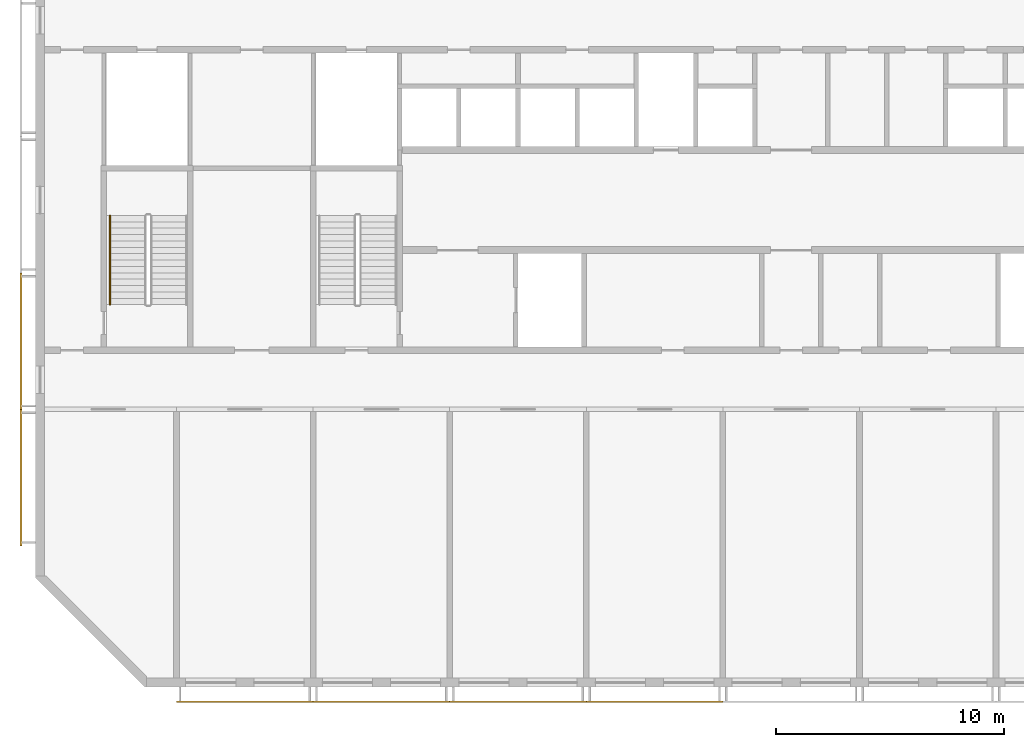
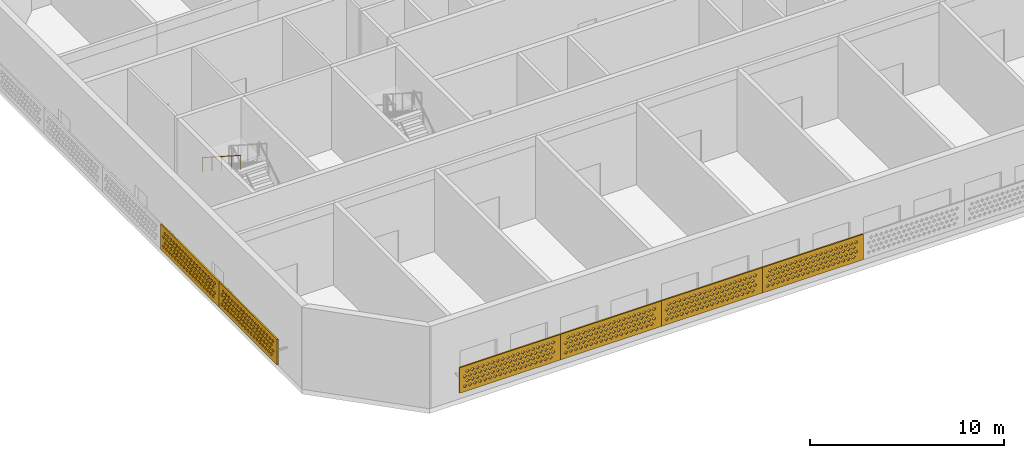
# One storey, part 10 of 18: 6 coverings, 1 railing.
"""IFC4 building model written with IfcOpenShell, lengths in metres."""

import ifcopenshell
import ifcopenshell.guid

model = None  # the IFC model being written
_history = None  # IfcOwnerHistory: only IFC2X3 demands one
_inside = {}  # id of a spatial element -> (the spatial element, [elements in it])
_under = {}  # id of a project, library or spatial element -> (it, [spatial elements below it])
_declared = {}  # id of a project -> (the project, [libraries it declares])
_typed = {}  # id of a type object -> (the type object, [elements of that type])
_made_of = {}  # id of a material, layer set ... -> (it, [elements and type objects made of it])


def new_model(schema):
    """Start an empty IFC model of exactly this schema.

    Asked for "IFC4X3", IfcOpenShell would pick the latest addendum, in which some entities
    have other attributes; the version numbers below select the first issue.
    IFC2X3 requires an IfcOwnerHistory on every rooted entity: one is made here for all.
    """
    global model, _history
    if schema == "IFC4X3":
        model = ifcopenshell.file(schema_version=(4, 3, 0, 0))
    else:
        model = ifcopenshell.file(schema=schema)
    _inside.clear()
    _under.clear()
    _declared.clear()
    _typed.clear()
    _made_of.clear()
    _history = None
    if model.schema == "IFC2X3":
        org = make("IfcOrganization", Name="unknown")
        user = make(
            "IfcPersonAndOrganization",
            ThePerson=make("IfcPerson", FamilyName="unknown"),
            TheOrganization=org,
        )
        app = make(
            "IfcApplication",
            ApplicationDeveloper=org,
            Version="unknown",
            ApplicationFullName="unknown",
            ApplicationIdentifier="unknown",
        )
        _history = make(
            "IfcOwnerHistory",
            OwningUser=user,
            OwningApplication=app,
            ChangeAction="ADDED",
            CreationDate=0,
        )
    return model


def make(cls, **values):
    """One entity of the class cls with the attributes given. An attribute that is None is left unset."""
    return model.create_entity(
        cls, **{name: value for name, value in values.items() if value is not None}
    )


def rooted(cls, **values):
    """An entity with a GlobalId (a new one), such as an element, a storey or a relation."""
    return make(cls, GlobalId=ifcopenshell.guid.new(), OwnerHistory=_history, **values)


def si_unit(unit_type, name, prefix=None):
    """IfcSIUnit, for example si_unit("LENGTHUNIT", "METRE", prefix="MILLI")."""
    return make("IfcSIUnit", UnitType=unit_type, Prefix=prefix, Name=name)


def assignment(units):
    """IfcUnitAssignment: the units of a project."""
    return None if units is None else make("IfcUnitAssignment", Units=units)


def point(xyz):
    """IfcCartesianPoint."""
    return None if xyz is None else make("IfcCartesianPoint", Coordinates=xyz)


def direction(xyz):
    """IfcDirection."""
    return None if xyz is None else make("IfcDirection", DirectionRatios=xyz)


def frame(location, z_axis=None, x_axis=None):
    """IfcAxis2Placement3D, a coordinate frame: its origin and axes. An axis left out is left unset."""
    return make(
        "IfcAxis2Placement3D",
        Location=point(location),
        Axis=direction(z_axis),
        RefDirection=direction(x_axis),
    )


def frame_2d(location, x_axis=None):
    """IfcAxis2Placement2D, a coordinate frame in the plane: its origin and x axis."""
    return make(
        "IfcAxis2Placement2D", Location=point(location), RefDirection=direction(x_axis)
    )


def origin():
    """The frame at (0, 0, 0) with its axes left unset."""
    return frame((0.0, 0.0, 0.0))


def origin_2d():
    """The frame at (0, 0) in the plane with its x axis left unset."""
    return frame_2d((0.0, 0.0))


def place(relative_to, where):
    """IfcLocalPlacement: puts the frame where relative to a parent placement (None: the world)."""
    return make(
        "IfcLocalPlacement", PlacementRelTo=relative_to, RelativePlacement=where
    )


def context(
    kind, dimensions, precision=None, world=None, true_north=None, identifier=None
):
    """IfcGeometricRepresentationContext, for example the 3D "Model" context."""
    return make(
        "IfcGeometricRepresentationContext",
        ContextIdentifier=identifier,
        ContextType=kind,
        CoordinateSpaceDimension=dimensions,
        Precision=precision,
        WorldCoordinateSystem=world,
        TrueNorth=true_north,
    )


def subcontext(parent, identifier, kind, view, scale=None):
    """IfcGeometricRepresentationSubContext, for example "Body" below "Model"."""
    return make(
        "IfcGeometricRepresentationSubContext",
        ContextIdentifier=identifier,
        ContextType=kind,
        ParentContext=parent,
        TargetScale=scale,
        TargetView=view,
    )


def project(units=None, contexts=None):
    """IfcProject with its units and contexts."""
    return rooted(
        "IfcProject",
        Name="project",
        RepresentationContexts=contexts,
        UnitsInContext=assignment(units),
    )


def spatial(cls, under=None, at=None, **own):
    """A site, building, storey or space (cls), placed at a placement, below another one or the project."""
    s = rooted(cls, ObjectPlacement=at, **own)
    if under is not None:
        _under.setdefault(under.id(), (under, []))[1].append(s)
    return s


def polyline(points):
    """IfcPolyline through the points."""
    return make("IfcPolyline", Points=[point(p) for p in points])


def profile(cls, at=None, kind="AREA", **sizes):
    """A parametric profile (cls). Its sizes go by their IFC names, for example OverallWidth=200.0."""
    return make(cls, ProfileType=kind, Position=at, **sizes)


def circle(**sizes):
    """IfcCircleProfileDef."""
    return profile("IfcCircleProfileDef", **sizes)


def outline(outer, holes=None, kind="AREA"):
    """IfcArbitraryClosedProfileDef: a profile drawn as a closed curve; with holes, ...WithVoids."""
    if holes is None:
        return make("IfcArbitraryClosedProfileDef", ProfileType=kind, OuterCurve=outer)
    return make(
        "IfcArbitraryProfileDefWithVoids",
        ProfileType=kind,
        OuterCurve=outer,
        InnerCurves=holes,
    )


def extrude(swept, where, along, depth):
    """IfcExtrudedAreaSolid: the profile swept, set in the frame where, extruded along a direction by depth."""
    return make(
        "IfcExtrudedAreaSolid",
        SweptArea=swept,
        Position=where,
        ExtrudedDirection=direction(along),
        Depth=depth,
    )


def shape(context_of_items, identifier, shape_type, items):
    """IfcShapeRepresentation: the items that make up one representation, for example the "Body"."""
    return make(
        "IfcShapeRepresentation",
        ContextOfItems=context_of_items,
        RepresentationIdentifier=identifier,
        RepresentationType=shape_type,
        Items=items,
    )


def source(mapping_origin, context_of_items, identifier, shape_type, items):
    """IfcRepresentationMap: a shape defined once, which mapped items show again and again."""
    return make(
        "IfcRepresentationMap",
        MappingOrigin=mapping_origin,
        MappedRepresentation=shape(context_of_items, identifier, shape_type, items),
    )


def transform(
    local_origin,
    x_axis=None,
    y_axis=None,
    z_axis=None,
    scale=None,
    scale2=None,
    scale3=None,
    uniform=True,
):
    """IfcCartesianTransformationOperator3D, or its non-uniform kind. x_axis, y_axis, z_axis: its Axis1, 2, 3."""
    if uniform:
        return make(
            "IfcCartesianTransformationOperator3D",
            Axis1=direction(x_axis),
            Axis2=direction(y_axis),
            LocalOrigin=point(local_origin),
            Scale=scale,
            Axis3=direction(z_axis),
        )
    return make(
        "IfcCartesianTransformationOperator3DnonUniform",
        Axis1=direction(x_axis),
        Axis2=direction(y_axis),
        LocalOrigin=point(local_origin),
        Scale=scale,
        Axis3=direction(z_axis),
        Scale2=scale2,
        Scale3=scale3,
    )


def mapped(mapping_source, mapping_target):
    """IfcMappedItem: shows the shape of a source again, moved by a transform."""
    return make(
        "IfcMappedItem", MappingSource=mapping_source, MappingTarget=mapping_target
    )


def material(Name=None, Category=None):
    """IfcMaterial."""
    return make("IfcMaterial", Name=Name, Category=Category)


def material_profile(
    of_material, cross_section, Name=None, Category=None, Priority=None
):
    """IfcMaterialProfile: a cross section and its material."""
    return make(
        "IfcMaterialProfile",
        Name=Name,
        Material=of_material,
        Profile=cross_section,
        Priority=Priority,
        Category=Category,
    )


def profile_set(profiles, Name=None, composite=None):
    """IfcMaterialProfileSet."""
    return make(
        "IfcMaterialProfileSet",
        Name=Name,
        MaterialProfiles=profiles,
        CompositeProfile=composite,
    )


def made_of(thing, what):
    """Note that an element or type object is made of a material, layer set ...; save() writes the relation."""
    if what is not None:
        _made_of.setdefault(what.id(), (what, []))[1].append(thing)
    return thing


def type_object(cls, material=None, **own):
    """A type object (cls), such as IfcWallType, which elements share."""
    return made_of(rooted(cls, **own), material)


def element(
    cls,
    number,
    at=None,
    inside=None,
    cuts=None,
    type_object=None,
    material=None,
    context=None,
    identifier="Body",
    shape_type=None,
    held_by="IfcProductDefinitionShape",
    body=None,
    shapes=None,
    **own,
):
    """One element of the class cls, such as IfcWall. Its Tag is "e" and its number.

    at: its placement. inside: the storey or other place that contains it. cuts: it is an
    opening in that element (IfcRelVoidsElement). A single representation is given by context,
    identifier, shape_type and body (its items); several are given by shapes. held_by: the class
    of the entity that holds the representations. save() writes the other relations.
    """
    e = rooted(cls, Tag="e%d" % number, ObjectPlacement=at, **own)
    if body is not None:
        shapes = [shape(context, identifier, shape_type, body)]
    if shapes is not None:
        e.Representation = make(held_by, Representations=shapes)
    if inside is not None:
        _inside.setdefault(inside.id(), (inside, []))[1].append(e)
    if cuts is not None:
        rooted(
            "IfcRelVoidsElement", RelatingBuildingElement=cuts, RelatedOpeningElement=e
        )
    if type_object is not None:
        _typed.setdefault(type_object.id(), (type_object, []))[1].append(e)
    return made_of(e, material)


def aggregate(whole, parts):
    """IfcRelAggregates: a whole, such as a stair, and the parts it consists of."""
    return rooted("IfcRelAggregates", RelatingObject=whole, RelatedObjects=parts)


def save(model, path):
    """Write the relations noted so far, then the file.

    IfcRelAggregates (storeys below a building ...), IfcRelContainedInSpatialStructure (elements
    in a storey), IfcRelDefinesByType, IfcRelAssociatesMaterial and IfcRelDeclares: one each for
    every whole, place, type object, material and project.
    """
    for whole, parts in _under.values():
        aggregate(whole, parts)
    for where, things in _inside.values():
        rooted(
            "IfcRelContainedInSpatialStructure",
            RelatedElements=things,
            RelatingStructure=where,
        )
    for kind, things in _typed.values():
        rooted("IfcRelDefinesByType", RelatedObjects=things, RelatingType=kind)
    for what, things in _made_of.values():
        rooted("IfcRelAssociatesMaterial", RelatedObjects=things, RelatingMaterial=what)
    for by, libraries in _declared.values():
        rooted("IfcRelDeclares", RelatingContext=by, RelatedDefinitions=libraries)
    model.write(path)


model = new_model("IFC4")

# Units and contexts
model_context = context("Model", 3, precision=1e-05, world=origin(), true_north=direction((0.0, 1.0)))
body_context = subcontext(model_context, "Body", "Model", "MODEL_VIEW")
ifc_project = project(units=[si_unit("LENGTHUNIT", "METRE"), si_unit("AREAUNIT", "SQUARE_METRE"), si_unit("VOLUMEUNIT", "CUBIC_METRE"), si_unit("PLANEANGLEUNIT", "RADIAN"), si_unit("MASSUNIT", "GRAM", prefix="KILO")], contexts=[model_context])

# Site, building, storey
site_placement = place(None, origin())
site = spatial("IfcSite", under=ifc_project, at=site_placement, CompositionType="ELEMENT")
building_placement = place(site_placement, origin())
building = spatial("IfcBuilding", under=site, at=building_placement, Name="Poui Terraces", CompositionType="ELEMENT")
storey_placement = place(building_placement, frame((0.0, 0.0, 267.0)))
storey = spatial("IfcBuildingStorey", under=building, at=storey_placement, Name="L74", CompositionType="ELEMENT", Elevation=267.0)

# Railing
ifc_material_1 = material(Name="Stainless steel handrail", Category="steel")
railing_type = type_object("IfcRailingType", Name="STAIR HANDRAIL 900", PredefinedType="HANDRAIL", material=ifc_material_1)
railing_placement = place(storey_placement, frame((21.074951171875, 20.52001953125, 2.8798828125)))
element("IfcRailing", 1, at=railing_placement, inside=storey, type_object=railing_type, Name="L74 ST-W stair handrail 2", PredefinedType="HANDRAIL", context=body_context, shape_type="SweptSolid", body=[
    extrude(circle(Radius=0.02392578125, at=origin_2d()), frame((0.0, 0.0, 0.8759765625), z_axis=(0.0, -0.841171666519, 0.540768182723), x_axis=(1.0, 0.0, 0.0)), (0.0, 0.0, 1.0), 4.66015625),
    extrude(circle(Radius=0.02099609375, at=origin_2d()), origin(), (0.0, 0.0, 1.0), 0.851806640625),
    extrude(circle(Radius=0.02099609375, at=origin_2d()), frame((0.0, -0.97998046875, 0.6298828125)), (0.0, 0.0, 1.0), 0.851806640625),
    extrude(circle(Radius=0.02099609375, at=origin_2d()), frame((0.0, -1.9599609375, 1.260009765625)), (0.0, 0.0, 1.0), 0.851806640625),
    extrude(circle(Radius=0.02099609375, at=origin_2d()), frame((0.0, -2.93994140625, 1.89013671875)), (0.0, 0.0, 1.0), 0.851806640625),
    extrude(circle(Radius=0.02099609375, at=origin_2d()), frame((0.0, -3.919921875, 2.52001953125)), (0.0, 0.0, 1.0), 0.851806640625),
])

# Coverings
ifc_material_2 = material(Name="Terracotta screen", Category="masonry")
ifc_material_profile = material_profile(ifc_material_2, outline(polyline([(-3.0, -0.800048828125), (3.0, -0.800048828125), (3.0, 0.800048828125), (-3.0, 0.800048828125), (-3.0, -0.800048828125)]), holes=[polyline([(-2.800048828125, -0.449951171875), (-2.68994140625, -0.56005859375), (-2.580078125, -0.449951171875), (-2.68994140625, -0.340087890625), (-2.800048828125, -0.449951171875)]), polyline([(-2.5, -0.449951171875), (-2.389892578125, -0.56005859375), (-2.280029296875, -0.449951171875), (-2.389892578125, -0.340087890625), (-2.5, -0.449951171875)]), polyline([(-2.199951171875, -0.449951171875), (-2.090087890625, -0.56005859375), (-1.97998046875, -0.449951171875), (-2.090087890625, -0.340087890625), (-2.199951171875, -0.449951171875)]), polyline([(-1.89990234375, -0.449951171875), (-1.7900390625, -0.56005859375), (-1.679931640625, -0.449951171875), (-1.7900390625, -0.340087890625), (-1.89990234375, -0.449951171875)]), polyline([(-1.60009765625, -0.449951171875), (-1.489990234375, -0.56005859375), (-1.3798828125, -0.449951171875), (-1.489990234375, -0.340087890625), (-1.60009765625, -0.449951171875)]), polyline([(-1.300048828125, -0.449951171875), (-1.18994140625, -0.56005859375), (-1.080078125, -0.449951171875), (-1.18994140625, -0.340087890625), (-1.300048828125, -0.449951171875)]), polyline([(-1.0, -0.449951171875), (-0.889892578125, -0.56005859375), (-0.780029296875, -0.449951171875), (-0.889892578125, -0.340087890625), (-1.0, -0.449951171875)]), polyline([(-0.699951171875, -0.449951171875), (-0.590087890625, -0.56005859375), (-0.47998046875, -0.449951171875), (-0.590087890625, -0.340087890625), (-0.699951171875, -0.449951171875)]), polyline([(-0.39990234375, -0.449951171875), (-0.2900390625, -0.56005859375), (-0.179931640625, -0.449951171875), (-0.2900390625, -0.340087890625), (-0.39990234375, -0.449951171875)]), polyline([(-0.10009765625, -0.449951171875), (0.010009765625, -0.56005859375), (0.1201171875, -0.449951171875), (0.010009765625, -0.340087890625), (-0.10009765625, -0.449951171875)]), polyline([(0.199951171875, -0.449951171875), (0.31005859375, -0.56005859375), (0.419921875, -0.449951171875), (0.31005859375, -0.340087890625), (0.199951171875, -0.449951171875)]), polyline([(0.5, -0.449951171875), (0.610107421875, -0.56005859375), (0.719970703125, -0.449951171875), (0.610107421875, -0.340087890625), (0.5, -0.449951171875)]), polyline([(0.800048828125, -0.449951171875), (0.909912109375, -0.56005859375), (1.02001953125, -0.449951171875), (0.909912109375, -0.340087890625), (0.800048828125, -0.449951171875)]), polyline([(1.10009765625, -0.449951171875), (1.2099609375, -0.56005859375), (1.320068359375, -0.449951171875), (1.2099609375, -0.340087890625), (1.10009765625, -0.449951171875)]), polyline([(1.39990234375, -0.449951171875), (1.510009765625, -0.56005859375), (1.6201171875, -0.449951171875), (1.510009765625, -0.340087890625), (1.39990234375, -0.449951171875)]), polyline([(1.699951171875, -0.449951171875), (1.81005859375, -0.56005859375), (1.919921875, -0.449951171875), (1.81005859375, -0.340087890625), (1.699951171875, -0.449951171875)]), polyline([(2.0, -0.449951171875), (2.110107421875, -0.56005859375), (2.219970703125, -0.449951171875), (2.110107421875, -0.340087890625), (2.0, -0.449951171875)]), polyline([(2.300048828125, -0.449951171875), (2.409912109375, -0.56005859375), (2.52001953125, -0.449951171875), (2.409912109375, -0.340087890625), (2.300048828125, -0.449951171875)]), polyline([(-2.64990234375, -0.14990234375), (-2.5400390625, -0.260009765625), (-2.429931640625, -0.14990234375), (-2.5400390625, -0.0400390625), (-2.64990234375, -0.14990234375)]), polyline([(-2.35009765625, -0.14990234375), (-2.239990234375, -0.260009765625), (-2.1298828125, -0.14990234375), (-2.239990234375, -0.0400390625), (-2.35009765625, -0.14990234375)]), polyline([(-2.050048828125, -0.14990234375), (-1.93994140625, -0.260009765625), (-1.830078125, -0.14990234375), (-1.93994140625, -0.0400390625), (-2.050048828125, -0.14990234375)]), polyline([(-1.75, -0.14990234375), (-1.639892578125, -0.260009765625), (-1.530029296875, -0.14990234375), (-1.639892578125, -0.0400390625), (-1.75, -0.14990234375)]), polyline([(-1.449951171875, -0.14990234375), (-1.340087890625, -0.260009765625), (-1.22998046875, -0.14990234375), (-1.340087890625, -0.0400390625), (-1.449951171875, -0.14990234375)]), polyline([(-1.14990234375, -0.14990234375), (-1.0400390625, -0.260009765625), (-0.929931640625, -0.14990234375), (-1.0400390625, -0.0400390625), (-1.14990234375, -0.14990234375)]), polyline([(-0.85009765625, -0.14990234375), (-0.739990234375, -0.260009765625), (-0.6298828125, -0.14990234375), (-0.739990234375, -0.0400390625), (-0.85009765625, -0.14990234375)]), polyline([(-0.550048828125, -0.14990234375), (-0.43994140625, -0.260009765625), (-0.330078125, -0.14990234375), (-0.43994140625, -0.0400390625), (-0.550048828125, -0.14990234375)]), polyline([(-0.25, -0.14990234375), (-0.139892578125, -0.260009765625), (-0.030029296875, -0.14990234375), (-0.139892578125, -0.0400390625), (-0.25, -0.14990234375)]), polyline([(0.050048828125, -0.14990234375), (0.159912109375, -0.260009765625), (0.27001953125, -0.14990234375), (0.159912109375, -0.0400390625), (0.050048828125, -0.14990234375)]), polyline([(0.35009765625, -0.14990234375), (0.4599609375, -0.260009765625), (0.570068359375, -0.14990234375), (0.4599609375, -0.0400390625), (0.35009765625, -0.14990234375)]), polyline([(0.64990234375, -0.14990234375), (0.760009765625, -0.260009765625), (0.8701171875, -0.14990234375), (0.760009765625, -0.0400390625), (0.64990234375, -0.14990234375)]), polyline([(0.949951171875, -0.14990234375), (1.06005859375, -0.260009765625), (1.169921875, -0.14990234375), (1.06005859375, -0.0400390625), (0.949951171875, -0.14990234375)]), polyline([(1.25, -0.14990234375), (1.360107421875, -0.260009765625), (1.469970703125, -0.14990234375), (1.360107421875, -0.0400390625), (1.25, -0.14990234375)]), polyline([(1.550048828125, -0.14990234375), (1.659912109375, -0.260009765625), (1.77001953125, -0.14990234375), (1.659912109375, -0.0400390625), (1.550048828125, -0.14990234375)]), polyline([(1.85009765625, -0.14990234375), (1.9599609375, -0.260009765625), (2.070068359375, -0.14990234375), (1.9599609375, -0.0400390625), (1.85009765625, -0.14990234375)]), polyline([(2.14990234375, -0.14990234375), (2.260009765625, -0.260009765625), (2.3701171875, -0.14990234375), (2.260009765625, -0.0400390625), (2.14990234375, -0.14990234375)]), polyline([(2.449951171875, -0.14990234375), (2.56005859375, -0.260009765625), (2.669921875, -0.14990234375), (2.56005859375, -0.0400390625), (2.449951171875, -0.14990234375)]), polyline([(-2.800048828125, 0.14990234375), (-2.68994140625, 0.0400390625), (-2.580078125, 0.14990234375), (-2.68994140625, 0.260009765625), (-2.800048828125, 0.14990234375)]), polyline([(-2.5, 0.14990234375), (-2.389892578125, 0.0400390625), (-2.280029296875, 0.14990234375), (-2.389892578125, 0.260009765625), (-2.5, 0.14990234375)]), polyline([(-2.199951171875, 0.14990234375), (-2.090087890625, 0.0400390625), (-1.97998046875, 0.14990234375), (-2.090087890625, 0.260009765625), (-2.199951171875, 0.14990234375)]), polyline([(-1.89990234375, 0.14990234375), (-1.7900390625, 0.0400390625), (-1.679931640625, 0.14990234375), (-1.7900390625, 0.260009765625), (-1.89990234375, 0.14990234375)]), polyline([(-1.60009765625, 0.14990234375), (-1.489990234375, 0.0400390625), (-1.3798828125, 0.14990234375), (-1.489990234375, 0.260009765625), (-1.60009765625, 0.14990234375)]), polyline([(-1.300048828125, 0.14990234375), (-1.18994140625, 0.0400390625), (-1.080078125, 0.14990234375), (-1.18994140625, 0.260009765625), (-1.300048828125, 0.14990234375)]), polyline([(-1.0, 0.14990234375), (-0.889892578125, 0.0400390625), (-0.780029296875, 0.14990234375), (-0.889892578125, 0.260009765625), (-1.0, 0.14990234375)]), polyline([(-0.699951171875, 0.14990234375), (-0.590087890625, 0.0400390625), (-0.47998046875, 0.14990234375), (-0.590087890625, 0.260009765625), (-0.699951171875, 0.14990234375)]), polyline([(-0.39990234375, 0.14990234375), (-0.2900390625, 0.0400390625), (-0.179931640625, 0.14990234375), (-0.2900390625, 0.260009765625), (-0.39990234375, 0.14990234375)]), polyline([(-0.10009765625, 0.14990234375), (0.010009765625, 0.0400390625), (0.1201171875, 0.14990234375), (0.010009765625, 0.260009765625), (-0.10009765625, 0.14990234375)]), polyline([(0.199951171875, 0.14990234375), (0.31005859375, 0.0400390625), (0.419921875, 0.14990234375), (0.31005859375, 0.260009765625), (0.199951171875, 0.14990234375)]), polyline([(0.5, 0.14990234375), (0.610107421875, 0.0400390625), (0.719970703125, 0.14990234375), (0.610107421875, 0.260009765625), (0.5, 0.14990234375)]), polyline([(0.800048828125, 0.14990234375), (0.909912109375, 0.0400390625), (1.02001953125, 0.14990234375), (0.909912109375, 0.260009765625), (0.800048828125, 0.14990234375)]), polyline([(1.10009765625, 0.14990234375), (1.2099609375, 0.0400390625), (1.320068359375, 0.14990234375), (1.2099609375, 0.260009765625), (1.10009765625, 0.14990234375)]), polyline([(1.39990234375, 0.14990234375), (1.510009765625, 0.0400390625), (1.6201171875, 0.14990234375), (1.510009765625, 0.260009765625), (1.39990234375, 0.14990234375)]), polyline([(1.699951171875, 0.14990234375), (1.81005859375, 0.0400390625), (1.919921875, 0.14990234375), (1.81005859375, 0.260009765625), (1.699951171875, 0.14990234375)]), polyline([(2.0, 0.14990234375), (2.110107421875, 0.0400390625), (2.219970703125, 0.14990234375), (2.110107421875, 0.260009765625), (2.0, 0.14990234375)]), polyline([(2.300048828125, 0.14990234375), (2.409912109375, 0.0400390625), (2.52001953125, 0.14990234375), (2.409912109375, 0.260009765625), (2.300048828125, 0.14990234375)]), polyline([(-2.64990234375, 0.449951171875), (-2.5400390625, 0.340087890625), (-2.429931640625, 0.449951171875), (-2.5400390625, 0.56005859375), (-2.64990234375, 0.449951171875)]), polyline([(-2.35009765625, 0.449951171875), (-2.239990234375, 0.340087890625), (-2.1298828125, 0.449951171875), (-2.239990234375, 0.56005859375), (-2.35009765625, 0.449951171875)]), polyline([(-2.050048828125, 0.449951171875), (-1.93994140625, 0.340087890625), (-1.830078125, 0.449951171875), (-1.93994140625, 0.56005859375), (-2.050048828125, 0.449951171875)]), polyline([(-1.75, 0.449951171875), (-1.639892578125, 0.340087890625), (-1.530029296875, 0.449951171875), (-1.639892578125, 0.56005859375), (-1.75, 0.449951171875)]), polyline([(-1.449951171875, 0.449951171875), (-1.340087890625, 0.340087890625), (-1.22998046875, 0.449951171875), (-1.340087890625, 0.56005859375), (-1.449951171875, 0.449951171875)]), polyline([(-1.14990234375, 0.449951171875), (-1.0400390625, 0.340087890625), (-0.929931640625, 0.449951171875), (-1.0400390625, 0.56005859375), (-1.14990234375, 0.449951171875)]), polyline([(-0.85009765625, 0.449951171875), (-0.739990234375, 0.340087890625), (-0.6298828125, 0.449951171875), (-0.739990234375, 0.56005859375), (-0.85009765625, 0.449951171875)]), polyline([(-0.550048828125, 0.449951171875), (-0.43994140625, 0.340087890625), (-0.330078125, 0.449951171875), (-0.43994140625, 0.56005859375), (-0.550048828125, 0.449951171875)]), polyline([(-0.25, 0.449951171875), (-0.139892578125, 0.340087890625), (-0.030029296875, 0.449951171875), (-0.139892578125, 0.56005859375), (-0.25, 0.449951171875)]), polyline([(0.050048828125, 0.449951171875), (0.159912109375, 0.340087890625), (0.27001953125, 0.449951171875), (0.159912109375, 0.56005859375), (0.050048828125, 0.449951171875)]), polyline([(0.35009765625, 0.449951171875), (0.4599609375, 0.340087890625), (0.570068359375, 0.449951171875), (0.4599609375, 0.56005859375), (0.35009765625, 0.449951171875)]), polyline([(0.64990234375, 0.449951171875), (0.760009765625, 0.340087890625), (0.8701171875, 0.449951171875), (0.760009765625, 0.56005859375), (0.64990234375, 0.449951171875)]), polyline([(0.949951171875, 0.449951171875), (1.06005859375, 0.340087890625), (1.169921875, 0.449951171875), (1.06005859375, 0.56005859375), (0.949951171875, 0.449951171875)]), polyline([(1.25, 0.449951171875), (1.360107421875, 0.340087890625), (1.469970703125, 0.449951171875), (1.360107421875, 0.56005859375), (1.25, 0.449951171875)]), polyline([(1.550048828125, 0.449951171875), (1.659912109375, 0.340087890625), (1.77001953125, 0.449951171875), (1.659912109375, 0.56005859375), (1.550048828125, 0.449951171875)]), polyline([(1.85009765625, 0.449951171875), (1.9599609375, 0.340087890625), (2.070068359375, 0.449951171875), (1.9599609375, 0.56005859375), (1.85009765625, 0.449951171875)]), polyline([(2.14990234375, 0.449951171875), (2.260009765625, 0.340087890625), (2.3701171875, 0.449951171875), (2.260009765625, 0.56005859375), (2.14990234375, 0.449951171875)]), polyline([(2.449951171875, 0.449951171875), (2.56005859375, 0.340087890625), (2.669921875, 0.449951171875), (2.56005859375, 0.56005859375), (2.449951171875, 0.449951171875)])]), Name="TERRACOTTA SOLAR SCREEN 6000X1600")
ifc_profile_set = profile_set([ifc_material_profile], Name="Terracotta screen")
covering_type = type_object("IfcCoveringType", Name="TERRACOTTA SOLAR SCREEN 6000X1600", PredefinedType="CLADDING", material=ifc_profile_set)
shared_shape = source(origin(), body_context, "Body", "SweptSolid", [
    extrude(outline(polyline([(-3.0, -0.800048828125), (3.0, -0.800048828125), (3.0, 0.800048828125), (-3.0, 0.800048828125), (-3.0, -0.800048828125)]), holes=[polyline([(-2.800048828125, -0.449951171875), (-2.68994140625, -0.56005859375), (-2.580078125, -0.449951171875), (-2.68994140625, -0.340087890625), (-2.800048828125, -0.449951171875)]), polyline([(-2.5, -0.449951171875), (-2.389892578125, -0.56005859375), (-2.280029296875, -0.449951171875), (-2.389892578125, -0.340087890625), (-2.5, -0.449951171875)]), polyline([(-2.199951171875, -0.449951171875), (-2.090087890625, -0.56005859375), (-1.97998046875, -0.449951171875), (-2.090087890625, -0.340087890625), (-2.199951171875, -0.449951171875)]), polyline([(-1.89990234375, -0.449951171875), (-1.7900390625, -0.56005859375), (-1.679931640625, -0.449951171875), (-1.7900390625, -0.340087890625), (-1.89990234375, -0.449951171875)]), polyline([(-1.60009765625, -0.449951171875), (-1.489990234375, -0.56005859375), (-1.3798828125, -0.449951171875), (-1.489990234375, -0.340087890625), (-1.60009765625, -0.449951171875)]), polyline([(-1.300048828125, -0.449951171875), (-1.18994140625, -0.56005859375), (-1.080078125, -0.449951171875), (-1.18994140625, -0.340087890625), (-1.300048828125, -0.449951171875)]), polyline([(-1.0, -0.449951171875), (-0.889892578125, -0.56005859375), (-0.780029296875, -0.449951171875), (-0.889892578125, -0.340087890625), (-1.0, -0.449951171875)]), polyline([(-0.699951171875, -0.449951171875), (-0.590087890625, -0.56005859375), (-0.47998046875, -0.449951171875), (-0.590087890625, -0.340087890625), (-0.699951171875, -0.449951171875)]), polyline([(-0.39990234375, -0.449951171875), (-0.2900390625, -0.56005859375), (-0.179931640625, -0.449951171875), (-0.2900390625, -0.340087890625), (-0.39990234375, -0.449951171875)]), polyline([(-0.10009765625, -0.449951171875), (0.010009765625, -0.56005859375), (0.1201171875, -0.449951171875), (0.010009765625, -0.340087890625), (-0.10009765625, -0.449951171875)]), polyline([(0.199951171875, -0.449951171875), (0.31005859375, -0.56005859375), (0.419921875, -0.449951171875), (0.31005859375, -0.340087890625), (0.199951171875, -0.449951171875)]), polyline([(0.5, -0.449951171875), (0.610107421875, -0.56005859375), (0.719970703125, -0.449951171875), (0.610107421875, -0.340087890625), (0.5, -0.449951171875)]), polyline([(0.800048828125, -0.449951171875), (0.909912109375, -0.56005859375), (1.02001953125, -0.449951171875), (0.909912109375, -0.340087890625), (0.800048828125, -0.449951171875)]), polyline([(1.10009765625, -0.449951171875), (1.2099609375, -0.56005859375), (1.320068359375, -0.449951171875), (1.2099609375, -0.340087890625), (1.10009765625, -0.449951171875)]), polyline([(1.39990234375, -0.449951171875), (1.510009765625, -0.56005859375), (1.6201171875, -0.449951171875), (1.510009765625, -0.340087890625), (1.39990234375, -0.449951171875)]), polyline([(1.699951171875, -0.449951171875), (1.81005859375, -0.56005859375), (1.919921875, -0.449951171875), (1.81005859375, -0.340087890625), (1.699951171875, -0.449951171875)]), polyline([(2.0, -0.449951171875), (2.110107421875, -0.56005859375), (2.219970703125, -0.449951171875), (2.110107421875, -0.340087890625), (2.0, -0.449951171875)]), polyline([(2.300048828125, -0.449951171875), (2.409912109375, -0.56005859375), (2.52001953125, -0.449951171875), (2.409912109375, -0.340087890625), (2.300048828125, -0.449951171875)]), polyline([(-2.64990234375, -0.14990234375), (-2.5400390625, -0.260009765625), (-2.429931640625, -0.14990234375), (-2.5400390625, -0.0400390625), (-2.64990234375, -0.14990234375)]), polyline([(-2.35009765625, -0.14990234375), (-2.239990234375, -0.260009765625), (-2.1298828125, -0.14990234375), (-2.239990234375, -0.0400390625), (-2.35009765625, -0.14990234375)]), polyline([(-2.050048828125, -0.14990234375), (-1.93994140625, -0.260009765625), (-1.830078125, -0.14990234375), (-1.93994140625, -0.0400390625), (-2.050048828125, -0.14990234375)]), polyline([(-1.75, -0.14990234375), (-1.639892578125, -0.260009765625), (-1.530029296875, -0.14990234375), (-1.639892578125, -0.0400390625), (-1.75, -0.14990234375)]), polyline([(-1.449951171875, -0.14990234375), (-1.340087890625, -0.260009765625), (-1.22998046875, -0.14990234375), (-1.340087890625, -0.0400390625), (-1.449951171875, -0.14990234375)]), polyline([(-1.14990234375, -0.14990234375), (-1.0400390625, -0.260009765625), (-0.929931640625, -0.14990234375), (-1.0400390625, -0.0400390625), (-1.14990234375, -0.14990234375)]), polyline([(-0.85009765625, -0.14990234375), (-0.739990234375, -0.260009765625), (-0.6298828125, -0.14990234375), (-0.739990234375, -0.0400390625), (-0.85009765625, -0.14990234375)]), polyline([(-0.550048828125, -0.14990234375), (-0.43994140625, -0.260009765625), (-0.330078125, -0.14990234375), (-0.43994140625, -0.0400390625), (-0.550048828125, -0.14990234375)]), polyline([(-0.25, -0.14990234375), (-0.139892578125, -0.260009765625), (-0.030029296875, -0.14990234375), (-0.139892578125, -0.0400390625), (-0.25, -0.14990234375)]), polyline([(0.050048828125, -0.14990234375), (0.159912109375, -0.260009765625), (0.27001953125, -0.14990234375), (0.159912109375, -0.0400390625), (0.050048828125, -0.14990234375)]), polyline([(0.35009765625, -0.14990234375), (0.4599609375, -0.260009765625), (0.570068359375, -0.14990234375), (0.4599609375, -0.0400390625), (0.35009765625, -0.14990234375)]), polyline([(0.64990234375, -0.14990234375), (0.760009765625, -0.260009765625), (0.8701171875, -0.14990234375), (0.760009765625, -0.0400390625), (0.64990234375, -0.14990234375)]), polyline([(0.949951171875, -0.14990234375), (1.06005859375, -0.260009765625), (1.169921875, -0.14990234375), (1.06005859375, -0.0400390625), (0.949951171875, -0.14990234375)]), polyline([(1.25, -0.14990234375), (1.360107421875, -0.260009765625), (1.469970703125, -0.14990234375), (1.360107421875, -0.0400390625), (1.25, -0.14990234375)]), polyline([(1.550048828125, -0.14990234375), (1.659912109375, -0.260009765625), (1.77001953125, -0.14990234375), (1.659912109375, -0.0400390625), (1.550048828125, -0.14990234375)]), polyline([(1.85009765625, -0.14990234375), (1.9599609375, -0.260009765625), (2.070068359375, -0.14990234375), (1.9599609375, -0.0400390625), (1.85009765625, -0.14990234375)]), polyline([(2.14990234375, -0.14990234375), (2.260009765625, -0.260009765625), (2.3701171875, -0.14990234375), (2.260009765625, -0.0400390625), (2.14990234375, -0.14990234375)]), polyline([(2.449951171875, -0.14990234375), (2.56005859375, -0.260009765625), (2.669921875, -0.14990234375), (2.56005859375, -0.0400390625), (2.449951171875, -0.14990234375)]), polyline([(-2.800048828125, 0.14990234375), (-2.68994140625, 0.0400390625), (-2.580078125, 0.14990234375), (-2.68994140625, 0.260009765625), (-2.800048828125, 0.14990234375)]), polyline([(-2.5, 0.14990234375), (-2.389892578125, 0.0400390625), (-2.280029296875, 0.14990234375), (-2.389892578125, 0.260009765625), (-2.5, 0.14990234375)]), polyline([(-2.199951171875, 0.14990234375), (-2.090087890625, 0.0400390625), (-1.97998046875, 0.14990234375), (-2.090087890625, 0.260009765625), (-2.199951171875, 0.14990234375)]), polyline([(-1.89990234375, 0.14990234375), (-1.7900390625, 0.0400390625), (-1.679931640625, 0.14990234375), (-1.7900390625, 0.260009765625), (-1.89990234375, 0.14990234375)]), polyline([(-1.60009765625, 0.14990234375), (-1.489990234375, 0.0400390625), (-1.3798828125, 0.14990234375), (-1.489990234375, 0.260009765625), (-1.60009765625, 0.14990234375)]), polyline([(-1.300048828125, 0.14990234375), (-1.18994140625, 0.0400390625), (-1.080078125, 0.14990234375), (-1.18994140625, 0.260009765625), (-1.300048828125, 0.14990234375)]), polyline([(-1.0, 0.14990234375), (-0.889892578125, 0.0400390625), (-0.780029296875, 0.14990234375), (-0.889892578125, 0.260009765625), (-1.0, 0.14990234375)]), polyline([(-0.699951171875, 0.14990234375), (-0.590087890625, 0.0400390625), (-0.47998046875, 0.14990234375), (-0.590087890625, 0.260009765625), (-0.699951171875, 0.14990234375)]), polyline([(-0.39990234375, 0.14990234375), (-0.2900390625, 0.0400390625), (-0.179931640625, 0.14990234375), (-0.2900390625, 0.260009765625), (-0.39990234375, 0.14990234375)]), polyline([(-0.10009765625, 0.14990234375), (0.010009765625, 0.0400390625), (0.1201171875, 0.14990234375), (0.010009765625, 0.260009765625), (-0.10009765625, 0.14990234375)]), polyline([(0.199951171875, 0.14990234375), (0.31005859375, 0.0400390625), (0.419921875, 0.14990234375), (0.31005859375, 0.260009765625), (0.199951171875, 0.14990234375)]), polyline([(0.5, 0.14990234375), (0.610107421875, 0.0400390625), (0.719970703125, 0.14990234375), (0.610107421875, 0.260009765625), (0.5, 0.14990234375)]), polyline([(0.800048828125, 0.14990234375), (0.909912109375, 0.0400390625), (1.02001953125, 0.14990234375), (0.909912109375, 0.260009765625), (0.800048828125, 0.14990234375)]), polyline([(1.10009765625, 0.14990234375), (1.2099609375, 0.0400390625), (1.320068359375, 0.14990234375), (1.2099609375, 0.260009765625), (1.10009765625, 0.14990234375)]), polyline([(1.39990234375, 0.14990234375), (1.510009765625, 0.0400390625), (1.6201171875, 0.14990234375), (1.510009765625, 0.260009765625), (1.39990234375, 0.14990234375)]), polyline([(1.699951171875, 0.14990234375), (1.81005859375, 0.0400390625), (1.919921875, 0.14990234375), (1.81005859375, 0.260009765625), (1.699951171875, 0.14990234375)]), polyline([(2.0, 0.14990234375), (2.110107421875, 0.0400390625), (2.219970703125, 0.14990234375), (2.110107421875, 0.260009765625), (2.0, 0.14990234375)]), polyline([(2.300048828125, 0.14990234375), (2.409912109375, 0.0400390625), (2.52001953125, 0.14990234375), (2.409912109375, 0.260009765625), (2.300048828125, 0.14990234375)]), polyline([(-2.64990234375, 0.449951171875), (-2.5400390625, 0.340087890625), (-2.429931640625, 0.449951171875), (-2.5400390625, 0.56005859375), (-2.64990234375, 0.449951171875)]), polyline([(-2.35009765625, 0.449951171875), (-2.239990234375, 0.340087890625), (-2.1298828125, 0.449951171875), (-2.239990234375, 0.56005859375), (-2.35009765625, 0.449951171875)]), polyline([(-2.050048828125, 0.449951171875), (-1.93994140625, 0.340087890625), (-1.830078125, 0.449951171875), (-1.93994140625, 0.56005859375), (-2.050048828125, 0.449951171875)]), polyline([(-1.75, 0.449951171875), (-1.639892578125, 0.340087890625), (-1.530029296875, 0.449951171875), (-1.639892578125, 0.56005859375), (-1.75, 0.449951171875)]), polyline([(-1.449951171875, 0.449951171875), (-1.340087890625, 0.340087890625), (-1.22998046875, 0.449951171875), (-1.340087890625, 0.56005859375), (-1.449951171875, 0.449951171875)]), polyline([(-1.14990234375, 0.449951171875), (-1.0400390625, 0.340087890625), (-0.929931640625, 0.449951171875), (-1.0400390625, 0.56005859375), (-1.14990234375, 0.449951171875)]), polyline([(-0.85009765625, 0.449951171875), (-0.739990234375, 0.340087890625), (-0.6298828125, 0.449951171875), (-0.739990234375, 0.56005859375), (-0.85009765625, 0.449951171875)]), polyline([(-0.550048828125, 0.449951171875), (-0.43994140625, 0.340087890625), (-0.330078125, 0.449951171875), (-0.43994140625, 0.56005859375), (-0.550048828125, 0.449951171875)]), polyline([(-0.25, 0.449951171875), (-0.139892578125, 0.340087890625), (-0.030029296875, 0.449951171875), (-0.139892578125, 0.56005859375), (-0.25, 0.449951171875)]), polyline([(0.050048828125, 0.449951171875), (0.159912109375, 0.340087890625), (0.27001953125, 0.449951171875), (0.159912109375, 0.56005859375), (0.050048828125, 0.449951171875)]), polyline([(0.35009765625, 0.449951171875), (0.4599609375, 0.340087890625), (0.570068359375, 0.449951171875), (0.4599609375, 0.56005859375), (0.35009765625, 0.449951171875)]), polyline([(0.64990234375, 0.449951171875), (0.760009765625, 0.340087890625), (0.8701171875, 0.449951171875), (0.760009765625, 0.56005859375), (0.64990234375, 0.449951171875)]), polyline([(0.949951171875, 0.449951171875), (1.06005859375, 0.340087890625), (1.169921875, 0.449951171875), (1.06005859375, 0.56005859375), (0.949951171875, 0.449951171875)]), polyline([(1.25, 0.449951171875), (1.360107421875, 0.340087890625), (1.469970703125, 0.449951171875), (1.360107421875, 0.56005859375), (1.25, 0.449951171875)]), polyline([(1.550048828125, 0.449951171875), (1.659912109375, 0.340087890625), (1.77001953125, 0.449951171875), (1.659912109375, 0.56005859375), (1.550048828125, 0.449951171875)]), polyline([(1.85009765625, 0.449951171875), (1.9599609375, 0.340087890625), (2.070068359375, 0.449951171875), (1.9599609375, 0.56005859375), (1.85009765625, 0.449951171875)]), polyline([(2.14990234375, 0.449951171875), (2.260009765625, 0.340087890625), (2.3701171875, 0.449951171875), (2.260009765625, 0.56005859375), (2.14990234375, 0.449951171875)]), polyline([(2.449951171875, 0.449951171875), (2.56005859375, 0.340087890625), (2.669921875, 0.449951171875), (2.56005859375, 0.56005859375), (2.449951171875, 0.449951171875)])]), origin(), (0.0, 0.0, 1.0), 0.079833984375),
])
for number, where, z_axis, x_axis, name in (
    (2, (27.0, -0.800048828125, 1.699951171875), (0.0, -1.0, 0.0), (1.0, 0.0, 0.0), "SOLAR SCREEN"),
    (3, (33.0, -0.800048828125, 1.699951171875), (0.0, -1.0, 0.0), (1.0, 0.0, 0.0), "SOLAR SCREEN"),
    (4, (39.0, -0.800048828125, 1.699951171875), (0.0, -1.0, 0.0), (1.0, 0.0, 0.0), "SOLAR SCREEN"),
    (5, (45.0, -0.800048828125, 1.699951171875), (0.0, -1.0, 0.0), (1.0, 0.0, 0.0), "SOLAR SCREEN"),
    (6, (17.199951171875, 9.0, 1.699951171875), (-1.0, 0.0, 0.0), (0.0, -1.0, 0.0), "SOLAR SCREEN"),
    (7, (17.199951171875, 15.0, 1.699951171875), (-1.0, 0.0, 0.0), (0.0, -1.0, 0.0), "SOLAR SCREEN"),
):
    element("IfcCovering", number, at=place(storey_placement, frame(where, z_axis=z_axis, x_axis=x_axis)), inside=storey, type_object=covering_type, Name=name, PredefinedType="CLADDING", context=body_context, shape_type="MappedRepresentation", body=[
        mapped(shared_shape, transform((0.0, 0.0, 0.0))),
    ])

save(model, "model.ifc")
